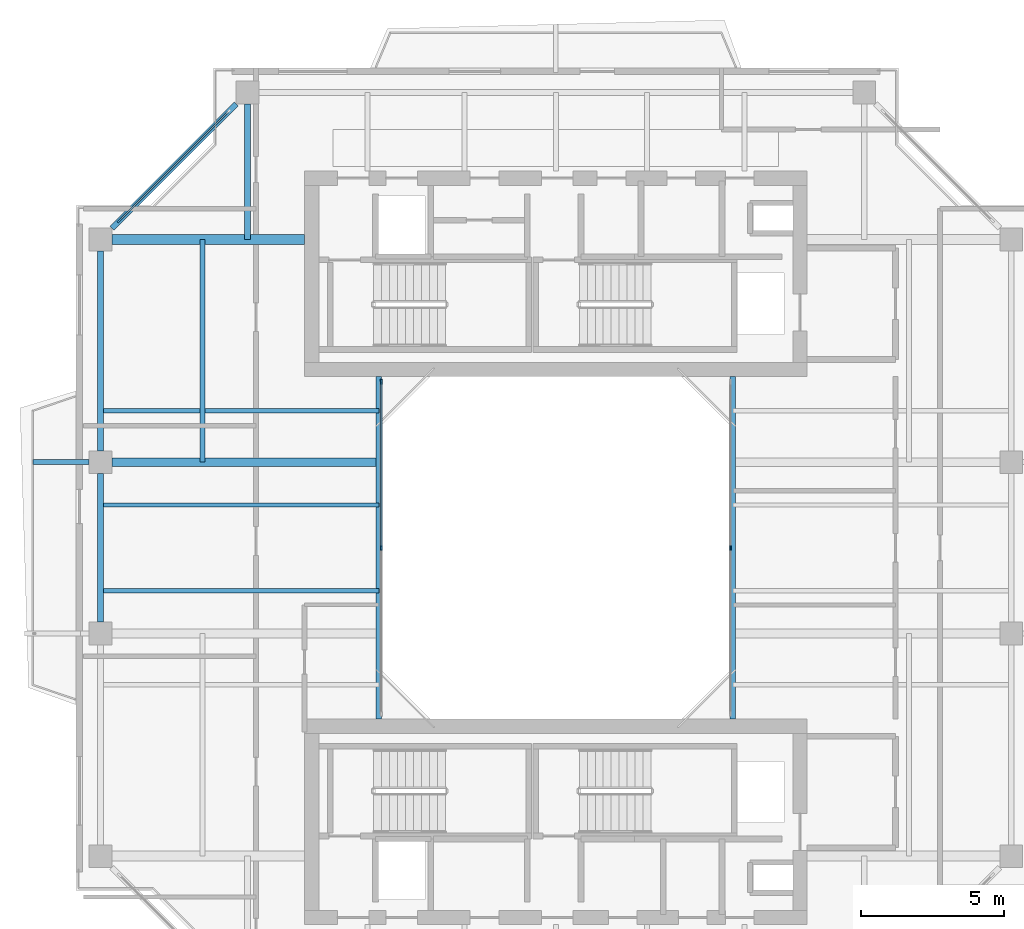
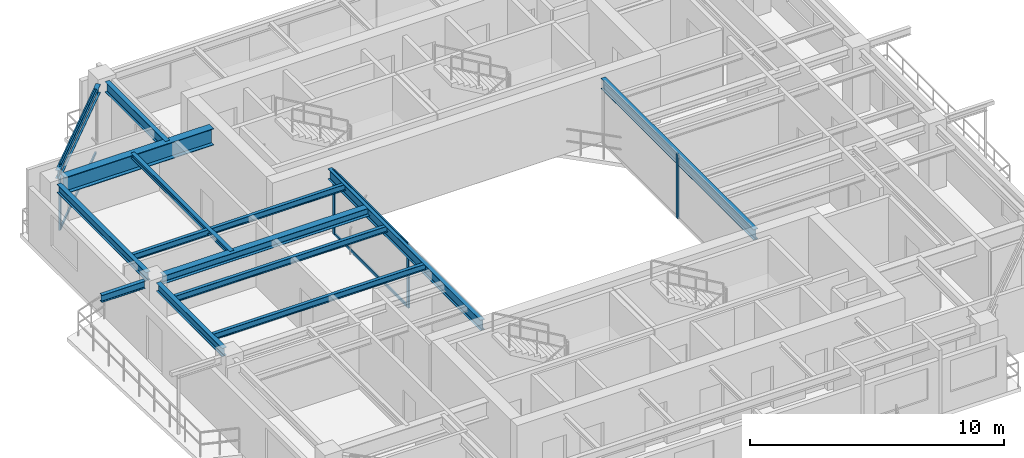
# One storey, part 5 of 15: 13 beams, 8 members, 3 elements without a shape of their own.
"""IFC4 building model written with IfcOpenShell, lengths in metres."""

from ifc_helpers import new_model, si_unit, direction, frame, origin, origin_2d, place, context, subcontext, project, spatial, rectangle, i_section, extrude, source, transform, mapped, material, layer, layer_set, material_profile, profile_set, type_object, element, aggregate, save


model = new_model("IFC4")

# Units and contexts
model_context = context("Model", 3, precision=1e-05, world=origin(), true_north=direction((0.0, 1.0)))
body_context = subcontext(model_context, "Body", "Model", "MODEL_VIEW")
ifc_project = project(units=[si_unit("LENGTHUNIT", "METRE"), si_unit("AREAUNIT", "SQUARE_METRE"), si_unit("VOLUMEUNIT", "CUBIC_METRE"), si_unit("PLANEANGLEUNIT", "RADIAN"), si_unit("MASSUNIT", "GRAM", prefix="KILO"), si_unit("THERMODYNAMICTEMPERATUREUNIT", "KELVIN"), si_unit("POWERUNIT", "WATT")], contexts=[model_context])

# Site, building, storey
site_placement = place(None, origin())
site = spatial("IfcSite", under=ifc_project, at=site_placement, CompositionType="ELEMENT")
building_placement = place(site_placement, origin())
building = spatial("IfcBuilding", under=site, at=building_placement, Name="Qiaomeng Ring Towers", CompositionType="ELEMENT")
storey_placement = place(building_placement, frame((0.0, 0.0, 219.75)))
storey = spatial("IfcBuildingStorey", under=building, at=storey_placement, Name="L64", CompositionType="ELEMENT", Elevation=219.75)

# Beams
ifc_material_1 = material(Name="Steel Q355B", Category="steel")
ifc_material_profile_1 = material_profile(ifc_material_1, i_section(OverallWidth=0.199951171875, OverallDepth=0.5, WebThickness=0.010009765625, FlangeThickness=0.01611328125, FilletRadius=0.02001953125, at=origin_2d()), Name="HN 500x200x10x16")
ifc_profile_set_1 = profile_set([ifc_material_profile_1], Name="Steel Q355B")
beam_type_1 = type_object("IfcBeamType", Name="STR-BM-HN500", PredefinedType="BEAM", material=ifc_profile_set_1)
shared_shape_1 = source(origin(), body_context, "Body", "SweptSolid", [
    extrude(i_section(OverallWidth=0.199951171875, OverallDepth=0.5, WebThickness=0.010009765625, FlangeThickness=0.01611328125, FilletRadius=0.02001953125, at=origin_2d()), origin(), (0.0, 0.0, 1.0), 12.0),
])
for number, where, z_axis, x_axis, name in (
    (1, (12.800048828125, 17.0, 2.820068359375), (0.0, 1.0, 0.0), (-1.0, 0.0, 0.0), "L64 beam STR-BM-L64-WELL-W"),
    (2, (25.199951171875, 17.0, 2.820068359375), (0.0, 1.0, 0.0), (-1.0, 0.0, 0.0), "L64 beam STR-BM-L64-WELL-E"),
):
    element("IfcBeam", number, at=place(storey_placement, frame(where, z_axis=z_axis, x_axis=x_axis)), inside=storey, type_object=beam_type_1, Name=name, PredefinedType="BEAM", context=body_context, shape_type="MappedRepresentation", body=[
        mapped(shared_shape_1, transform((0.0, 0.0, 0.0), x_axis=(1.0, 0.0, 0.0), y_axis=(0.0, 1.0, 0.0), z_axis=(0.0, 0.0, 1.0), scale=1.0)),
    ])
ifc_material_profile_2 = material_profile(ifc_material_1, i_section(OverallWidth=0.198974609375, OverallDepth=0.39599609375, WebThickness=0.007080078125, FlangeThickness=0.010986328125, FilletRadius=0.01611328125, at=origin_2d()), Name="HN 396x199x7x11")
ifc_profile_set_2 = profile_set([ifc_material_profile_2], Name="Steel Q355B")
beam_type_2 = type_object("IfcBeamType", Name="STR-BM-HN396", PredefinedType="SPANDREL", material=ifc_profile_set_2)
shared_shape_2 = source(origin(), body_context, "Body", "SweptSolid", [
    extrude(i_section(OverallWidth=0.198974609375, OverallDepth=0.39599609375, WebThickness=0.007080078125, FlangeThickness=0.010986328125, FilletRadius=0.01611328125, at=origin_2d()), origin(), (0.0, 0.0, 1.0), 6.154052734375),
])
beam_1_placement = place(storey_placement, frame((7.80078125, 38.55078125, 2.8720703125), z_axis=(-0.707106781187, -0.707106781187, 0.0), x_axis=(0.707106781187, -0.707106781187, 0.0)))
element("IfcBeam", 3, at=beam_1_placement, inside=storey, type_object=beam_type_2, Name="L64 beam STR-SP-L64-T1-N1-W4", PredefinedType="SPANDREL", context=body_context, shape_type="MappedRepresentation", body=[
    mapped(shared_shape_2, transform((0.0, 0.0, 0.0), x_axis=(1.0, 0.0, 0.0), y_axis=(0.0, 1.0, 0.0), z_axis=(0.0, 0.0, 1.0), scale=1.0)),
])
shared_shape_3 = source(origin(), body_context, "Body", "SweptSolid", [
    extrude(i_section(OverallWidth=0.198974609375, OverallDepth=0.39599609375, WebThickness=0.007080078125, FlangeThickness=0.010986328125, FilletRadius=0.01611328125, at=origin_2d()), origin(), (0.0, 0.0, 1.0), 7.001953125),
])
beam_2_placement = place(storey_placement, frame((3.050048828125, 33.40087890625, 2.8720703125), z_axis=(0.0, -1.0, 0.0), x_axis=(1.0, 0.0, 0.0)))
element("IfcBeam", 4, at=beam_2_placement, inside=storey, type_object=beam_type_2, Name="L64 beam STR-SP-L64-T1-W4-W3", PredefinedType="SPANDREL", context=body_context, shape_type="MappedRepresentation", body=[
    mapped(shared_shape_3, transform((0.0, 0.0, 0.0), x_axis=(1.0, 0.0, 0.0), y_axis=(0.0, 1.0, 0.0), z_axis=(0.0, 0.0, 1.0), scale=1.0)),
])
shared_shape_4 = source(origin(), body_context, "Body", "SweptSolid", [
    extrude(i_section(OverallWidth=0.198974609375, OverallDepth=0.39599609375, WebThickness=0.007080078125, FlangeThickness=0.010986328125, FilletRadius=0.01611328125, at=origin_2d()), origin(), (0.0, 0.0, 1.0), 5.2021484375),
])
beam_3_placement = place(storey_placement, frame((3.050048828125, 25.60107421875, 2.8720703125), z_axis=(0.0, -1.0, 0.0), x_axis=(1.0, 0.0, 0.0)))
element("IfcBeam", 5, at=beam_3_placement, inside=storey, type_object=beam_type_2, Name="L64 beam STR-SP-L64-T1-W3-W2", PredefinedType="SPANDREL", context=body_context, shape_type="MappedRepresentation", body=[
    mapped(shared_shape_4, transform((0.0, 0.0, 0.0), x_axis=(1.0, 0.0, 0.0), y_axis=(0.0, 1.0, 0.0), z_axis=(0.0, 0.0, 1.0), scale=1.0)),
])
ifc_material_2 = material(Name="Steel Q390GJC", Category="steel")
ifc_material_profile_3 = material_profile(ifc_material_2, i_section(OverallWidth=0.35009765625, OverallDepth=0.800048828125, WebThickness=0.01611328125, FlangeThickness=0.028076171875, at=origin_2d()), Name="WH 800x350x16x28")
ifc_profile_set_3 = profile_set([ifc_material_profile_3], Name="Steel Q390GJC")
beam_type_3 = type_object("IfcBeamType", Name="STR-BM-WH800", PredefinedType="BEAM", material=ifc_profile_set_3)
shared_shape_5 = source(origin(), body_context, "Body", "SweptSolid", [
    extrude(i_section(OverallWidth=0.35009765625, OverallDepth=0.800048828125, WebThickness=0.01611328125, FlangeThickness=0.028076171875, at=origin_2d()), origin(), (0.0, 0.0, 1.0), 6.7509765625),
])
beam_4_placement = place(storey_placement, frame((3.448974609375, 33.800048828125, 2.669921875), z_axis=(1.0, 0.0, 0.0), x_axis=(0.0, 1.0, 0.0)))
element("IfcBeam", 6, at=beam_4_placement, inside=storey, type_object=beam_type_3, Name="L64 beam STR-BM-L64-T1-RAD-W4", PredefinedType="BEAM", context=body_context, shape_type="MappedRepresentation", body=[
    mapped(shared_shape_5, transform((0.0, 0.0, 0.0), x_axis=(1.0, 0.0, 0.0), y_axis=(0.0, 1.0, 0.0), z_axis=(0.0, 0.0, 1.0), scale=1.0)),
])
ifc_material_profile_4 = material_profile(ifc_material_1, i_section(OverallWidth=0.300048828125, OverallDepth=0.389892578125, WebThickness=0.010009765625, FlangeThickness=0.01611328125, FilletRadius=0.02197265625, at=origin_2d()), Name="HM 390x300x10x16")
ifc_profile_set_4 = profile_set([ifc_material_profile_4], Name="Steel Q355B")
beam_type_4 = type_object("IfcBeamType", Name="STR-BM-HM390", PredefinedType="BEAM", material=ifc_profile_set_4)
shared_shape_6 = source(origin(), body_context, "Body", "SweptSolid", [
    extrude(i_section(OverallWidth=0.300048828125, OverallDepth=0.389892578125, WebThickness=0.010009765625, FlangeThickness=0.01611328125, FilletRadius=0.02197265625, at=origin_2d()), origin(), (0.0, 0.0, 1.0), 9.35107421875),
])
beam_5_placement = place(storey_placement, frame((3.448974609375, 26.0, 2.875), z_axis=(1.0, 0.0, 0.0), x_axis=(0.0, 1.0, 0.0)))
element("IfcBeam", 7, at=beam_5_placement, inside=storey, type_object=beam_type_4, Name="L64 beam STR-BM-L64-T1-RAD-W3", PredefinedType="BEAM", context=body_context, shape_type="MappedRepresentation", body=[
    mapped(shared_shape_6, transform((0.0, 0.0, 0.0), x_axis=(1.0, 0.0, 0.0), y_axis=(0.0, 1.0, 0.0), z_axis=(0.0, 0.0, 1.0), scale=1.0)),
])
ifc_material_profile_5 = material_profile(ifc_material_1, i_section(OverallWidth=0.175048828125, OverallDepth=0.35009765625, WebThickness=0.007080078125, FlangeThickness=0.010986328125, FilletRadius=0.013916015625, at=origin_2d()), Name="HN 350x175x7x11")
ifc_profile_set_5 = profile_set([ifc_material_profile_5], Name="Steel Q355B")
beam_type_5 = type_object("IfcBeamType", Name="STR-BM-HN350", PredefinedType="JOIST", material=ifc_profile_set_5)
shared_shape_7 = source(origin(), body_context, "Body", "SweptSolid", [
    extrude(i_section(OverallWidth=0.175048828125, OverallDepth=0.35009765625, WebThickness=0.007080078125, FlangeThickness=0.010986328125, FilletRadius=0.013916015625, at=origin_2d()), origin(), (0.0, 0.0, 1.0), 1.970947265625),
])
beam_6_placement = place(storey_placement, frame((0.679931640625, 26.0, 2.89501953125), z_axis=(1.0, 0.0, 0.0), x_axis=(0.0, 1.0, 0.0)))
element("IfcBeam", 8, at=beam_6_placement, inside=storey, type_object=beam_type_5, Name="L64 beam STR-BALBM-L64-W3", PredefinedType="JOIST", context=body_context, shape_type="MappedRepresentation", body=[
    mapped(shared_shape_7, transform((0.0, 0.0, 0.0), x_axis=(1.0, 0.0, 0.0), y_axis=(0.0, 1.0, 0.0), z_axis=(0.0, 0.0, 1.0), scale=1.0)),
])
ifc_material_profile_6 = material_profile(ifc_material_1, i_section(OverallWidth=0.14990234375, OverallDepth=0.300048828125, WebThickness=0.006591796875, FlangeThickness=0.009033203125, FilletRadius=0.012939453125, at=origin_2d()), Name="HN 300x150x6.5x9")
ifc_profile_set_6 = profile_set([ifc_material_profile_6], Name="Steel Q355B")
beam_type_6 = type_object("IfcBeamType", Name="STR-BM-HN300", PredefinedType="JOIST", material=ifc_profile_set_6)
shared_shape_8 = source(origin(), body_context, "Body", "SweptSolid", [
    extrude(i_section(OverallWidth=0.14990234375, OverallDepth=0.300048828125, WebThickness=0.006591796875, FlangeThickness=0.009033203125, FilletRadius=0.012939453125, at=origin_2d()), origin(), (0.0, 0.0, 1.0), 9.75),
])
for number, where, z_axis, x_axis, name in (
    (9, (3.050048828125, 21.5, 2.919921875), (1.0, 0.0, 0.0), (0.0, 1.0, 0.0), "L64 beam STR-JST-L64-T1W-2"),
    (10, (3.050048828125, 24.5, 2.919921875), (1.0, 0.0, 0.0), (0.0, 1.0, 0.0), "L64 beam STR-JST-L64-T1W-3"),
    (11, (3.050048828125, 27.800048828125, 2.919921875), (1.0, 0.0, 0.0), (0.0, 1.0, 0.0), "L64 beam STR-JST-L64-T1W-4"),
):
    element("IfcBeam", number, at=place(storey_placement, frame(where, z_axis=z_axis, x_axis=x_axis)), inside=storey, type_object=beam_type_6, Name=name, PredefinedType="JOIST", context=body_context, shape_type="MappedRepresentation", body=[
        mapped(shared_shape_8, transform((0.0, 0.0, 0.0), x_axis=(1.0, 0.0, 0.0), y_axis=(0.0, 1.0, 0.0), z_axis=(0.0, 0.0, 1.0), scale=1.0)),
    ])
ifc_material_profile_7 = material_profile(ifc_material_1, i_section(OverallWidth=0.175048828125, OverallDepth=0.243896484375, WebThickness=0.007080078125, FlangeThickness=0.010986328125, FilletRadius=0.01611328125, at=origin_2d()), Name="HM 244x175x7x11")
ifc_profile_set_7 = profile_set([ifc_material_profile_7], Name="Steel Q355B")
beam_type_7 = type_object("IfcBeamType", Name="STR-BM-HM244", PredefinedType="JOIST", material=ifc_profile_set_7)
shared_shape_9 = source(origin(), body_context, "Body", "SweptSolid", [
    extrude(i_section(OverallWidth=0.175048828125, OverallDepth=0.243896484375, WebThickness=0.007080078125, FlangeThickness=0.010986328125, FilletRadius=0.01611328125, at=origin_2d()), origin(), (0.0, 0.0, 1.0), 7.800048828125),
])
beam_7_placement = place(storey_placement, frame((6.625, 26.0, 2.947998046875), z_axis=(0.0, 1.0, 0.0), x_axis=(-1.0, 0.0, 0.0)))
element("IfcBeam", 12, at=beam_7_placement, inside=storey, type_object=beam_type_7, Name="L64 beam STR-JST-L64-T1C-WN", PredefinedType="JOIST", context=body_context, shape_type="MappedRepresentation", body=[
    mapped(shared_shape_9, transform((0.0, 0.0, 0.0), x_axis=(1.0, 0.0, 0.0), y_axis=(0.0, 1.0, 0.0), z_axis=(0.0, 0.0, 1.0), scale=1.0)),
])
ifc_material_profile_8 = material_profile(ifc_material_1, i_section(OverallWidth=0.198974609375, OverallDepth=0.49609375, WebThickness=0.009033203125, FlangeThickness=0.013916015625, FilletRadius=0.01806640625, at=origin_2d()), Name="HN 496x199x9x14")
ifc_profile_set_8 = profile_set([ifc_material_profile_8], Name="Steel Q355B")
beam_type_8 = type_object("IfcBeamType", Name="STR-BM-HN496", PredefinedType="BEAM", material=ifc_profile_set_8)
shared_shape_10 = source(origin(), body_context, "Body", "SweptSolid", [
    extrude(i_section(OverallWidth=0.198974609375, OverallDepth=0.49609375, WebThickness=0.009033203125, FlangeThickness=0.013916015625, FilletRadius=0.01806640625, at=origin_2d()), origin(), (0.0, 0.0, 1.0), 4.7509765625),
])
beam_8_placement = place(storey_placement, frame((8.199951171875, 38.551025390625, 2.822021484375), z_axis=(0.0, -1.0, 0.0), x_axis=(1.0, 0.0, 0.0)))
element("IfcBeam", 13, at=beam_8_placement, inside=storey, type_object=beam_type_8, Name="L64 beam STR-BM-L64-T1-RAD-N1", PredefinedType="BEAM", context=body_context, shape_type="MappedRepresentation", body=[
    mapped(shared_shape_10, transform((0.0, 0.0, 0.0), x_axis=(1.0, 0.0, 0.0), y_axis=(0.0, 1.0, 0.0), z_axis=(0.0, 0.0, 1.0), scale=1.0)),
])

# Curtain wall, members
ifc_material_3 = material(Name="Fluorocarbon dark-grey aluminium", Category="aluminium")
ifc_layer_1 = layer(ifc_material_3, 0.139892578125, Name="Fluorocarbon dark-grey aluminium")
ifc_layer_set_1 = layer_set([ifc_layer_1], Name="Fluorocarbon dark-grey aluminium")
curtain_wall_type_1 = type_object("IfcCurtainWallType", Name="ARC-CW-4", PredefinedType="NOTDEFINED", material=ifc_layer_set_1)
curtain_wall_1_placement = place(storey_placement, origin())
curtain_wall_1 = element("IfcCurtainWall", 14, at=curtain_wall_1_placement, inside=storey, type_object=curtain_wall_type_1, Name="L64 Curtain Wall CW4", PredefinedType="NOTDEFINED")
ifc_material_profile_9 = material_profile(ifc_material_3, rectangle(XDim=0.06494140625, YDim=0.159912109375, at=origin_2d()), Name="ALU MULL 65x160")
ifc_profile_set_9 = profile_set([ifc_material_profile_9], Name="Fluorocarbon dark-grey aluminium")
member_type_1 = type_object("IfcMemberType", Name="ARC-CWM-140", PredefinedType="MULLION", material=ifc_profile_set_9)
shared_shape_11 = source(origin(), body_context, "Body", "SweptSolid", [
    extrude(rectangle(XDim=0.06494140625, YDim=0.159912109375, at=origin_2d()), origin(), (0.0, 0.0, 1.0), 3.070068359375),
])
member_1_placement = place(storey_placement, frame((12.8798828125, 23.0, 0.0), z_axis=(0.0, 0.0, 1.0), x_axis=(-1.0, 0.0, 0.0)))
member_1 = element("IfcMember", 15, at=member_1_placement, type_object=member_type_1, Name="CW4 mullion 2", PredefinedType="MULLION", context=body_context, shape_type="MappedRepresentation", body=[
    mapped(shared_shape_11, transform((0.0, 0.0, 0.0), x_axis=(1.0, 0.0, 0.0), y_axis=(0.0, 1.0, 0.0), z_axis=(0.0, 0.0, 1.0), scale=1.0)),
])
member_2_placement = place(storey_placement, frame((12.8798828125, 28.8173828125, 0.0), z_axis=(0.0, 0.0, 1.0), x_axis=(-1.0, 0.0, 0.0)))
member_2 = element("IfcMember", 16, at=member_2_placement, type_object=member_type_1, Name="CW4 mullion 3", PredefinedType="MULLION", context=body_context, shape_type="MappedRepresentation", body=[
    mapped(shared_shape_11, transform((0.0, 0.0, 0.0), x_axis=(1.0, 0.0, 0.0), y_axis=(0.0, 1.0, 0.0), z_axis=(0.0, 0.0, 1.0), scale=1.0)),
])

# Curtain wall, member
curtain_wall_2_placement = place(storey_placement, origin())
curtain_wall_2 = element("IfcCurtainWall", 17, at=curtain_wall_2_placement, inside=storey, type_object=curtain_wall_type_1, Name="L64 Curtain Wall CW4", PredefinedType="NOTDEFINED")
member_3_placement = place(storey_placement, frame((25.1201171875, 23.0, 0.0), z_axis=(0.0, 0.0, 1.0), x_axis=(-1.0, 0.0, 0.0)))
member_3 = element("IfcMember", 18, at=member_3_placement, type_object=member_type_1, Name="CW4 mullion 2", PredefinedType="MULLION", context=body_context, shape_type="MappedRepresentation", body=[
    mapped(shared_shape_11, transform((0.0, 0.0, 0.0), x_axis=(1.0, 0.0, 0.0), y_axis=(0.0, 1.0, 0.0), z_axis=(0.0, 0.0, 1.0), scale=1.0)),
])
aggregate(curtain_wall_2, [member_3])

# Member
ifc_material_profile_10 = material_profile(ifc_material_3, rectangle(XDim=0.06494140625, YDim=0.1298828125, at=origin_2d()), Name="ALU TRAN 65x130")
ifc_profile_set_10 = profile_set([ifc_material_profile_10], Name="Fluorocarbon dark-grey aluminium")
member_type_2 = type_object("IfcMemberType", Name="ARC-CWT-120", PredefinedType="USERDEFINED", material=ifc_profile_set_10)
shared_shape_12 = source(origin(), body_context, "Body", "SweptSolid", [
    extrude(rectangle(XDim=0.06494140625, YDim=0.1298828125, at=origin_2d()), origin(), (0.0, 0.0, 1.0), 5.75244140625),
])
member_4_placement = place(storey_placement, frame((12.8798828125, 23.032470703125, 0.032470703125), z_axis=(0.0, 1.0, 0.0), x_axis=(-1.0, 0.0, 0.0)))
member_4 = element("IfcMember", 19, at=member_4_placement, type_object=member_type_2, Name="CW4 transom 2.1", ObjectType="TRANSOM", PredefinedType="USERDEFINED", context=body_context, shape_type="MappedRepresentation", body=[
    mapped(shared_shape_12, transform((0.0, 0.0, 0.0), x_axis=(1.0, 0.0, 0.0), y_axis=(0.0, 1.0, 0.0), z_axis=(0.0, 0.0, 1.0), scale=1.0)),
])

member_5_placement = place(storey_placement, frame((12.8798828125, 23.032470703125, 3.03759765625), z_axis=(0.0, 1.0, 0.0), x_axis=(-1.0, 0.0, 0.0)))
member_5 = element("IfcMember", 20, at=member_5_placement, type_object=member_type_2, Name="CW4 transom 2.2", ObjectType="TRANSOM", PredefinedType="USERDEFINED", context=body_context, shape_type="MappedRepresentation", body=[
    mapped(shared_shape_12, transform((0.0, 0.0, 0.0), x_axis=(1.0, 0.0, 0.0), y_axis=(0.0, 1.0, 0.0), z_axis=(0.0, 0.0, 1.0), scale=1.0)),
])

aggregate(curtain_wall_1, [member_1, member_2, member_4, member_5])

# Curtain wall, members
ifc_layer_2 = layer(ifc_material_3, 0.14990234375, Name="Fluorocarbon dark-grey aluminium")
ifc_layer_set_2 = layer_set([ifc_layer_2], Name="Fluorocarbon dark-grey aluminium")
curtain_wall_type_2 = type_object("IfcCurtainWallType", Name="ARC-CW-3", PredefinedType="NOTDEFINED", material=ifc_layer_set_2)
curtain_wall_3_placement = place(storey_placement, origin())
curtain_wall_3 = element("IfcCurtainWall", 21, at=curtain_wall_3_placement, inside=storey, type_object=curtain_wall_type_2, Name="L64 Curtain Wall CW3", PredefinedType="NOTDEFINED")
ifc_material_profile_11 = material_profile(ifc_material_3, rectangle(XDim=0.070068359375, YDim=0.179931640625, at=origin_2d()), Name="ALU MULL 70x180")
ifc_profile_set_11 = profile_set([ifc_material_profile_11], Name="Fluorocarbon dark-grey aluminium")
member_type_3 = type_object("IfcMemberType", Name="ARC-CWM-160", PredefinedType="MULLION", material=ifc_profile_set_11)
shared_shape_13 = source(origin(), body_context, "Body", "SweptSolid", [
    extrude(rectangle(XDim=0.070068359375, YDim=0.179931640625, at=origin_2d()), origin(), (0.0, 0.0, 1.0), 3.070068359375),
])
member_6_placement = place(storey_placement, frame((3.71484375, 34.46484375, 0.0), z_axis=(0.0, 0.0, 1.0), x_axis=(0.707106781187, -0.707106781187, 0.0)))
member_6 = element("IfcMember", 22, at=member_6_placement, type_object=member_type_3, Name="CW3 mullion 2", PredefinedType="MULLION", context=body_context, shape_type="MappedRepresentation", body=[
    mapped(shared_shape_13, transform((0.0, 0.0, 0.0), x_axis=(1.0, 0.0, 0.0), y_axis=(0.0, 1.0, 0.0), z_axis=(0.0, 0.0, 1.0), scale=1.0)),
])
shared_shape_14 = source(origin(), body_context, "Body", "SweptSolid", [
    extrude(rectangle(XDim=0.06494140625, YDim=0.1298828125, at=origin_2d()), origin(), (0.0, 0.0, 1.0), 5.3330078125),
])
member_7_placement = place(storey_placement, frame((7.510498046875, 38.260498046875, 0.032470703125), z_axis=(-0.707106781187, -0.707106781187, 0.0), x_axis=(0.707106781187, -0.707106781187, 0.0)))
member_7 = element("IfcMember", 23, at=member_7_placement, type_object=member_type_2, Name="CW3 transom 1.1", ObjectType="TRANSOM", PredefinedType="USERDEFINED", context=body_context, shape_type="MappedRepresentation", body=[
    mapped(shared_shape_14, transform((0.0, 0.0, 0.0), x_axis=(1.0, 0.0, 0.0), y_axis=(0.0, 1.0, 0.0), z_axis=(0.0, 0.0, 1.0), scale=1.0)),
])
member_8_placement = place(storey_placement, frame((7.510498046875, 38.260498046875, 3.03759765625), z_axis=(-0.707106781187, -0.707106781187, 0.0), x_axis=(0.707106781187, -0.707106781187, 0.0)))
member_8 = element("IfcMember", 24, at=member_8_placement, type_object=member_type_2, Name="CW3 transom 1.2", ObjectType="TRANSOM", PredefinedType="USERDEFINED", context=body_context, shape_type="MappedRepresentation", body=[
    mapped(shared_shape_14, transform((0.0, 0.0, 0.0), x_axis=(1.0, 0.0, 0.0), y_axis=(0.0, 1.0, 0.0), z_axis=(0.0, 0.0, 1.0), scale=1.0)),
])
aggregate(curtain_wall_3, [member_6, member_7, member_8])

save(model, "model.ifc")
